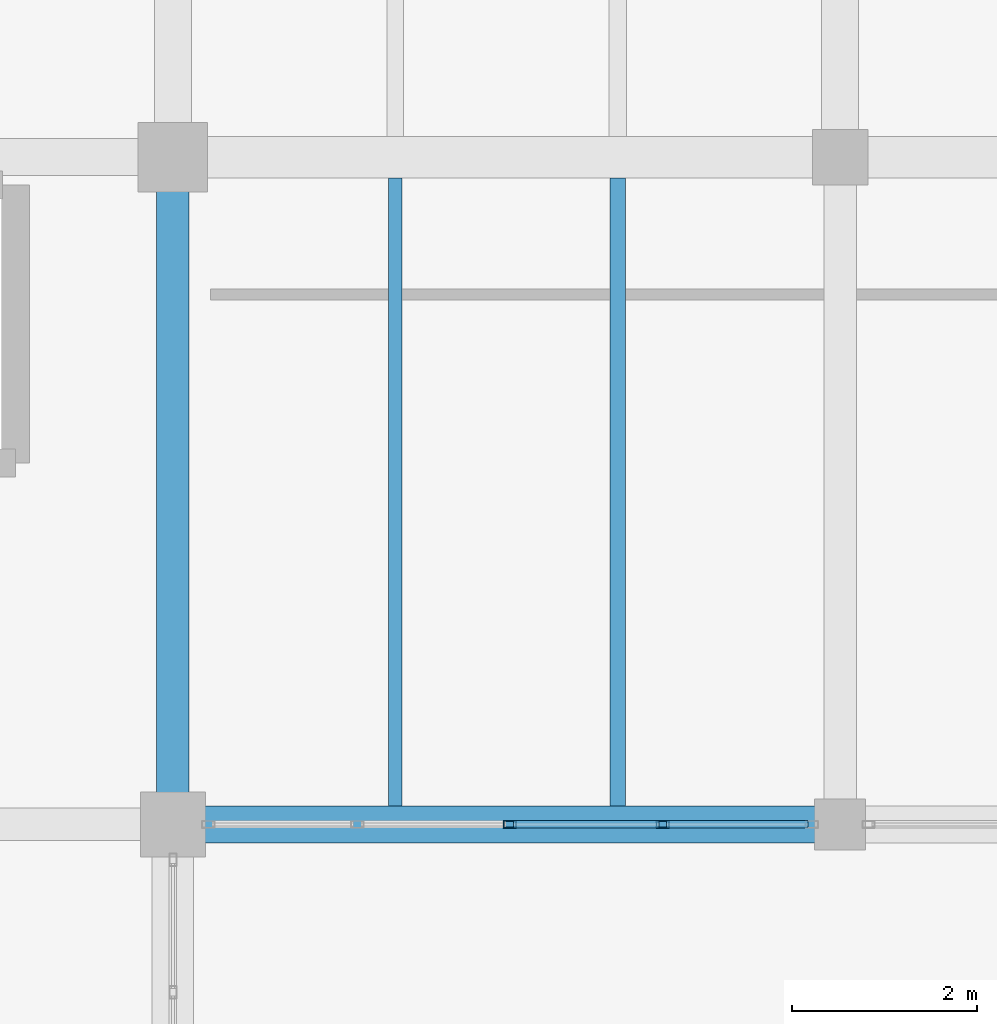
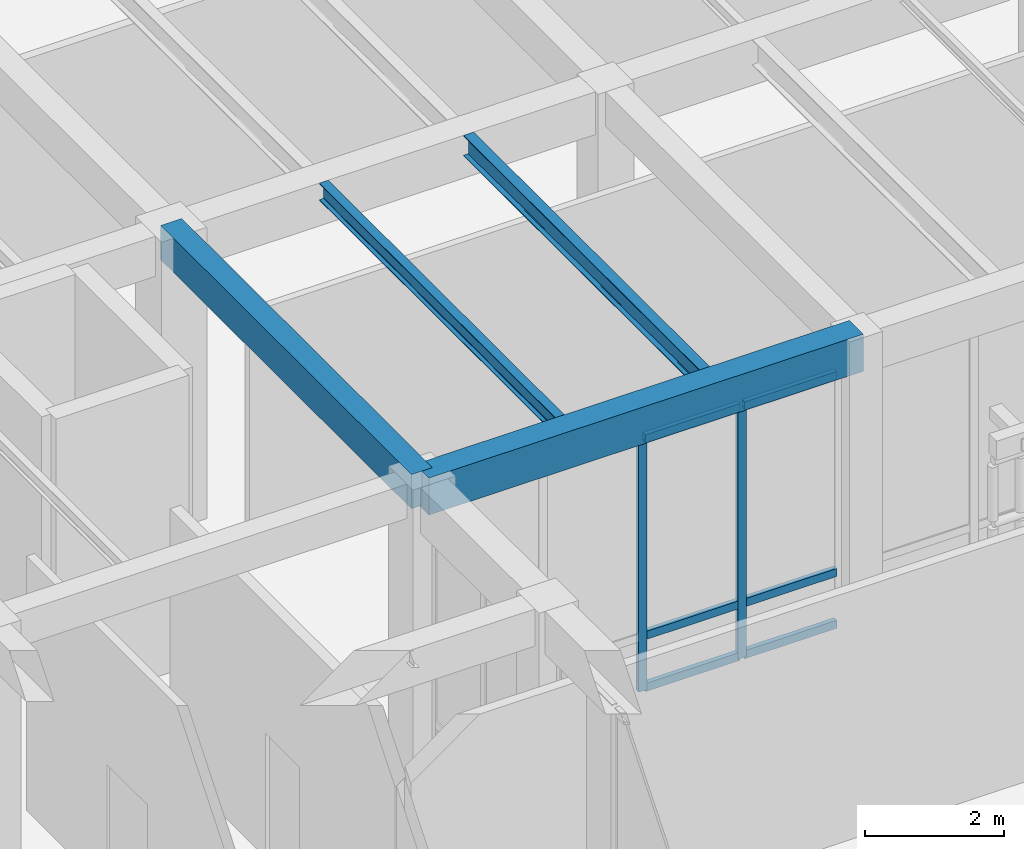
# One storey, part 100 of 169: 8 members, 4 beams, 1 element without a shape of its own.
"""IFC4 building model written with IfcOpenShell, lengths in metres."""

from ifc_helpers import new_model, si_unit, direction, frame, origin, origin_2d, place, context, subcontext, project, spatial, rectangle, hollow_rectangle, i_section, extrude, material, layer, layer_set, material_profile, profile_set, type_object, element, aggregate, save


model = new_model("IFC4")

# Units and contexts
model_context = context("Model", 3, precision=1e-05, world=origin(), true_north=direction((0.0, 1.0)))
body_context = subcontext(model_context, "Body", "Model", "MODEL_VIEW")
ifc_project = project(units=[si_unit("LENGTHUNIT", "METRE"), si_unit("AREAUNIT", "SQUARE_METRE"), si_unit("VOLUMEUNIT", "CUBIC_METRE"), si_unit("PLANEANGLEUNIT", "RADIAN"), si_unit("MASSUNIT", "GRAM", prefix="KILO")], contexts=[model_context])

# Site, building, storey
site_placement = place(None, origin())
site = spatial("IfcSite", under=ifc_project, at=site_placement, CompositionType="ELEMENT")
building_placement = place(site_placement, origin())
building = spatial("IfcBuilding", under=site, at=building_placement, Name="Mazaris Harbour Polytechnic", CompositionType="ELEMENT")
storey_placement = place(building_placement, origin())
storey = spatial("IfcBuildingStorey", under=building, at=storey_placement, Name="L00", CompositionType="ELEMENT", Elevation=0.0)

# Curtain wall, members
ifc_material_1 = material(Name="Anodised Bronze Aluminium and Low-E Glass", Category="aluminium")
ifc_layer = layer(ifc_material_1, 0.169921875, Name="Anodised Bronze Aluminium and Low-E Glass")
ifc_layer_set = layer_set([ifc_layer], Name="Anodised Bronze Aluminium and Low-E Glass")
curtain_wall_type = type_object("IfcCurtainWallType", Name="Studio North-Light Curtain Wall", PredefinedType="NOTDEFINED", material=ifc_layer_set)
curtain_wall_placement = place(storey_placement, origin())
curtain_wall = element("IfcCurtainWall", 1, at=curtain_wall_placement, inside=storey, type_object=curtain_wall_type, Name="V5 L00 Curtain Wall 194", PredefinedType="NOTDEFINED")
ifc_material_2 = material(Name="Anodised Bronze Steel S355", Category="steel")
ifc_material_profile_1 = material_profile(ifc_material_2, hollow_rectangle(XDim=0.080078125, YDim=0.139892578125, WallThickness=0.00634765625, at=origin_2d()), Name="RHS 80x140x6.3")
ifc_profile_set_1 = profile_set([ifc_material_profile_1], Name="Anodised Bronze Steel S355")
member_type_1 = type_object("IfcMemberType", Name="Curtain Mullion RHS80x140", PredefinedType="MULLION", material=ifc_profile_set_1)
member_1_placement = place(storey_placement, frame((142.085205078125, 86.39990234375, 0.0), z_axis=(0.0, 0.0, 1.0), x_axis=(0.0, -1.0, 0.0)))
member_1 = element("IfcMember", 2, at=member_1_placement, type_object=member_type_1, Name="CW-03 mullion 2", PredefinedType="MULLION", context=body_context, shape_type="SweptSolid", body=[
    extrude(hollow_rectangle(XDim=0.080078125, YDim=0.139892578125, WallThickness=0.00634765625, at=origin_2d()), origin(), (0.0, 0.0, 1.0), 4.43994140625),
])
member_2_placement = place(storey_placement, frame((140.4375, 86.39990234375, 0.0), z_axis=(0.0, 0.0, 1.0), x_axis=(0.0, -1.0, 0.0)))
member_2 = element("IfcMember", 3, at=member_2_placement, type_object=member_type_1, Name="CW-03 mullion 3", PredefinedType="MULLION", context=body_context, shape_type="SweptSolid", body=[
    extrude(hollow_rectangle(XDim=0.080078125, YDim=0.139892578125, WallThickness=0.00634765625, at=origin_2d()), origin(), (0.0, 0.0, 1.0), 4.43994140625),
])
ifc_material_3 = material(Name="Anodised Bronze Steel S355", Category="steel")
ifc_material_profile_2 = material_profile(ifc_material_3, hollow_rectangle(XDim=0.080078125, YDim=0.139892578125, WallThickness=0.00634765625, at=origin_2d()), Name="RHS 80x140x6.3")
ifc_profile_set_2 = profile_set([ifc_material_profile_2], Name="Anodised Bronze Steel S355")
member_type_2 = type_object("IfcMemberType", Name="Curtain Transom RHS80x140", PredefinedType="USERDEFINED", material=ifc_profile_set_2)
member_3_placement = place(storey_placement, frame((143.653076171875, 86.39990234375, 0.0400390625), z_axis=(-1.0, 0.0, 0.0), x_axis=(0.0, -1.0, 0.0)))
member_3 = element("IfcMember", 4, at=member_3_placement, type_object=member_type_2, Name="CW-03 transom 1.1", ObjectType="TRANSOM", PredefinedType="USERDEFINED", context=body_context, shape_type="SweptSolid", body=[
    extrude(hollow_rectangle(XDim=0.080078125, YDim=0.139892578125, WallThickness=0.00634765625, at=origin_2d()), origin(), (0.0, 0.0, 1.0), 1.52783203125),
])
member_4_placement = place(storey_placement, frame((143.653076171875, 86.39990234375, 0.949951171875), z_axis=(-1.0, 0.0, 0.0), x_axis=(0.0, -1.0, 0.0)))
member_4 = element("IfcMember", 5, at=member_4_placement, type_object=member_type_2, Name="CW-03 transom 1.2", ObjectType="TRANSOM", PredefinedType="USERDEFINED", context=body_context, shape_type="SweptSolid", body=[
    extrude(hollow_rectangle(XDim=0.080078125, YDim=0.139892578125, WallThickness=0.00634765625, at=origin_2d()), origin(), (0.0, 0.0, 1.0), 1.52783203125),
])
member_5_placement = place(storey_placement, frame((143.653076171875, 86.39990234375, 4.39990234375), z_axis=(-1.0, 0.0, 0.0), x_axis=(0.0, -1.0, 0.0)))
member_5 = element("IfcMember", 6, at=member_5_placement, type_object=member_type_2, Name="CW-03 transom 1.3", ObjectType="TRANSOM", PredefinedType="USERDEFINED", context=body_context, shape_type="SweptSolid", body=[
    extrude(hollow_rectangle(XDim=0.080078125, YDim=0.139892578125, WallThickness=0.00634765625, at=origin_2d()), origin(), (0.0, 0.0, 1.0), 1.52783203125),
])
member_6_placement = place(storey_placement, frame((142.045166015625, 86.39990234375, 0.0400390625), z_axis=(-1.0, 0.0, 0.0), x_axis=(0.0, -1.0, 0.0)))
member_6 = element("IfcMember", 7, at=member_6_placement, type_object=member_type_2, Name="CW-03 transom 2.1", ObjectType="TRANSOM", PredefinedType="USERDEFINED", context=body_context, shape_type="SweptSolid", body=[
    extrude(hollow_rectangle(XDim=0.080078125, YDim=0.139892578125, WallThickness=0.00634765625, at=origin_2d()), origin(), (0.0, 0.0, 1.0), 1.567626953125),
])
member_7_placement = place(storey_placement, frame((142.045166015625, 86.39990234375, 0.949951171875), z_axis=(-1.0, 0.0, 0.0), x_axis=(0.0, -1.0, 0.0)))
member_7 = element("IfcMember", 8, at=member_7_placement, type_object=member_type_2, Name="CW-03 transom 2.2", ObjectType="TRANSOM", PredefinedType="USERDEFINED", context=body_context, shape_type="SweptSolid", body=[
    extrude(hollow_rectangle(XDim=0.080078125, YDim=0.139892578125, WallThickness=0.00634765625, at=origin_2d()), origin(), (0.0, 0.0, 1.0), 1.567626953125),
])
member_8_placement = place(storey_placement, frame((142.045166015625, 86.39990234375, 4.39990234375), z_axis=(-1.0, 0.0, 0.0), x_axis=(0.0, -1.0, 0.0)))
member_8 = element("IfcMember", 9, at=member_8_placement, type_object=member_type_2, Name="CW-03 transom 2.3", ObjectType="TRANSOM", PredefinedType="USERDEFINED", context=body_context, shape_type="SweptSolid", body=[
    extrude(hollow_rectangle(XDim=0.080078125, YDim=0.139892578125, WallThickness=0.00634765625, at=origin_2d()), origin(), (0.0, 0.0, 1.0), 1.567626953125),
])
aggregate(curtain_wall, [member_1, member_2, member_3, member_4, member_5, member_6, member_7, member_8])

# Beams
ifc_material_4 = material(Name="Concrete C35/45", Category="concrete")
ifc_material_profile_3 = material_profile(ifc_material_4, rectangle(XDim=0.35009765625, YDim=0.60009765625, at=origin_2d()), Name="RECT350x600")
ifc_profile_set_3 = profile_set([ifc_material_profile_3], Name="Concrete C35/45")
beam_type_1 = type_object("IfcBeamType", Name="RC Girder 350x600", PredefinedType="BEAM", material=ifc_profile_set_3)
beam_1_placement = place(storey_placement, frame((136.800048828125, 86.39990234375, 4.800048828125), z_axis=(0.0, 1.0, 0.0), x_axis=(-1.0, 0.0, 0.0)))
element("IfcBeam", 10, at=beam_1_placement, inside=storey, type_object=beam_type_1, Name="V5 L00 Tie Girder 2780", PredefinedType="BEAM", context=body_context, shape_type="SweptSolid", body=[
    extrude(rectangle(XDim=0.35009765625, YDim=0.60009765625, at=origin_2d()), origin(), (0.0, 0.0, 1.0), 7.2001953125),
])
ifc_material_5 = material(Name="Concrete C35/45", Category="concrete")
ifc_material_profile_4 = material_profile(ifc_material_5, rectangle(XDim=0.39990234375, YDim=0.64990234375, at=origin_2d()), Name="RECT400x650")
ifc_profile_set_4 = profile_set([ifc_material_profile_4], Name="Concrete C35/45")
beam_type_2 = type_object("IfcBeamType", Name="RC Girder 400x650", PredefinedType="BEAM", material=ifc_profile_set_4)
beam_2_placement = place(storey_placement, frame((136.800048828125, 86.39990234375, 4.77490234375), z_axis=(1.0, 0.0, 0.0), x_axis=(0.0, 1.0, 0.0)))
element("IfcBeam", 11, at=beam_2_placement, inside=storey, type_object=beam_type_2, Name="V5 L00 Girder 2731", PredefinedType="BEAM", context=body_context, shape_type="SweptSolid", body=[
    extrude(rectangle(XDim=0.39990234375, YDim=0.64990234375, at=origin_2d()), origin(), (0.0, 0.0, 1.0), 7.199951171875),
])
ifc_material_6 = material(Name="Steel S355", Category="steel")
ifc_material_profile_5 = material_profile(ifc_material_6, i_section(OverallWidth=0.14990234375, OverallDepth=0.300048828125, WebThickness=0.007080078125, FlangeThickness=0.0107421875, FilletRadius=0.014892578125, at=origin_2d()), Name="IPE 300")
ifc_profile_set_5 = profile_set([ifc_material_profile_5], Name="Steel S355")
beam_type_3 = type_object("IfcBeamType", Name="Steel Joist IPE300", PredefinedType="JOIST", material=ifc_profile_set_5)
beam_3_placement = place(storey_placement, frame((139.199951171875, 86.60009765625, 4.949951171875), z_axis=(0.0, 1.0, 0.0), x_axis=(-1.0, 0.0, 0.0)))
element("IfcBeam", 12, at=beam_3_placement, inside=storey, type_object=beam_type_3, Name="V5 L00 Floor Joist 2852", PredefinedType="JOIST", context=body_context, shape_type="SweptSolid", body=[
    extrude(i_section(OverallWidth=0.14990234375, OverallDepth=0.300048828125, WebThickness=0.007080078125, FlangeThickness=0.0107421875, FilletRadius=0.014892578125, at=origin_2d()), origin(), (0.0, 0.0, 1.0), 6.77490234375),
])
ifc_material_7 = material(Name="Steel S355", Category="steel")
ifc_material_profile_6 = material_profile(ifc_material_7, i_section(OverallWidth=0.169921875, OverallDepth=0.360107421875, WebThickness=0.008056640625, FlangeThickness=0.0126953125, FilletRadius=0.01806640625, at=origin_2d()), Name="IPE 360")
ifc_profile_set_6 = profile_set([ifc_material_profile_6], Name="Steel S355")
beam_type_4 = type_object("IfcBeamType", Name="Steel Joist IPE360", PredefinedType="JOIST", material=ifc_profile_set_6)
beam_4_placement = place(storey_placement, frame((141.60009765625, 86.60009765625, 4.919921875), z_axis=(0.0, 1.0, 0.0), x_axis=(-1.0, 0.0, 0.0)))
element("IfcBeam", 13, at=beam_4_placement, inside=storey, type_object=beam_type_4, Name="V5 L00 Floor Joist 2853", PredefinedType="JOIST", context=body_context, shape_type="SweptSolid", body=[
    extrude(i_section(OverallWidth=0.169921875, OverallDepth=0.360107421875, WebThickness=0.008056640625, FlangeThickness=0.0126953125, FilletRadius=0.01806640625, at=origin_2d()), origin(), (0.0, 0.0, 1.0), 6.77490234375),
])

save(model, "model.ifc")
